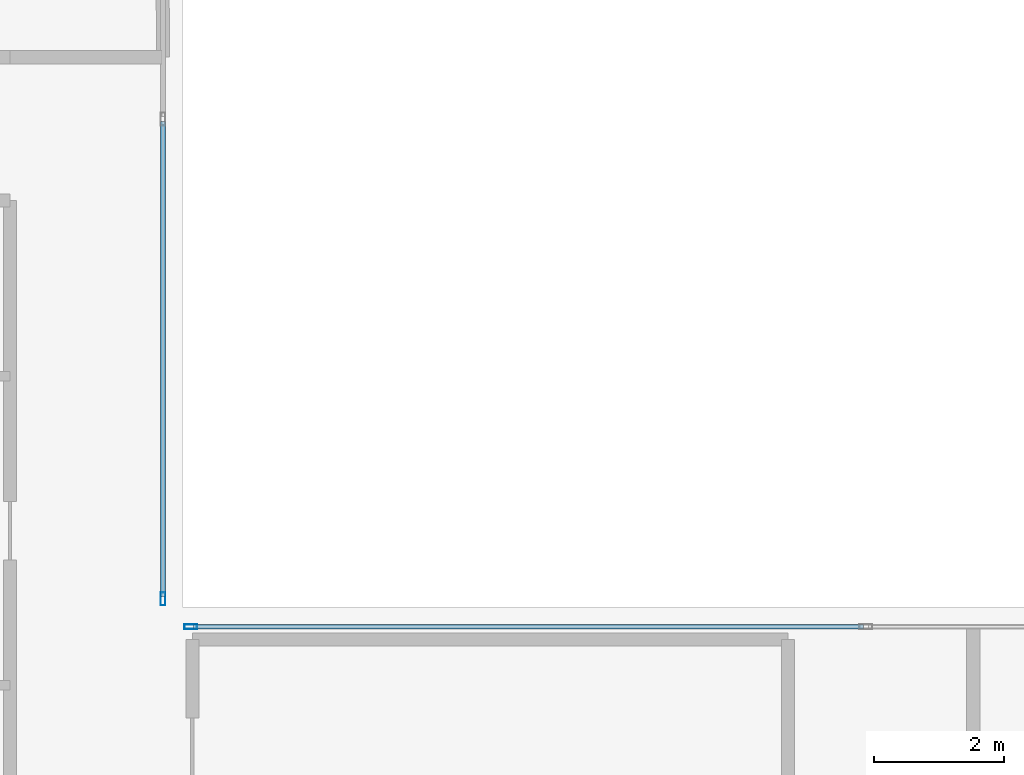
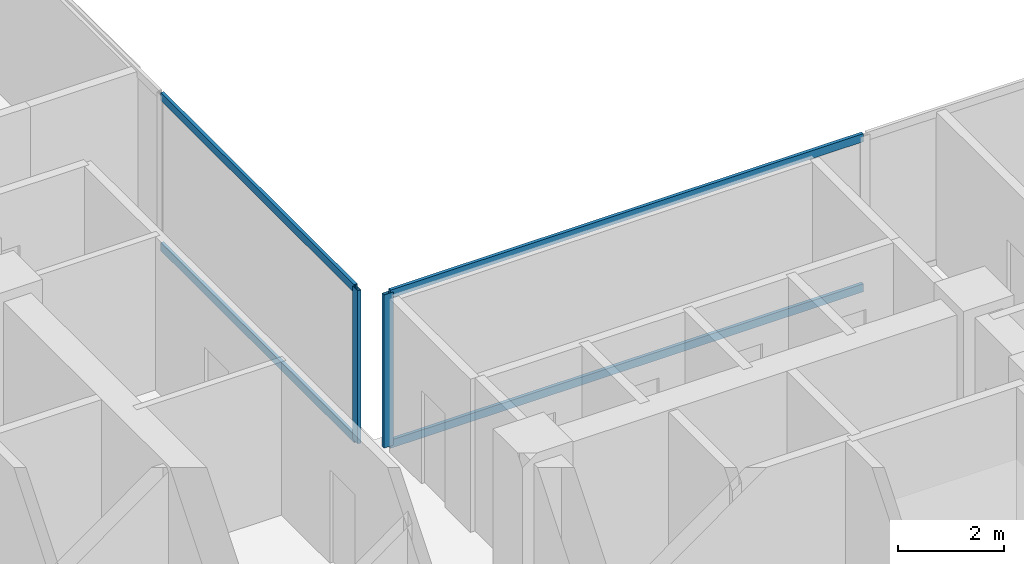
# One storey, part 9 of 28: 6 members, 2 elements without a shape of their own.
"""IFC4 building model written with IfcOpenShell, lengths in metres."""

from ifc_helpers import new_model, si_unit, direction, frame, origin, origin_2d, place, context, subcontext, project, spatial, hollow_rectangle, extrude, material, layer, layer_set, material_profile, profile_set, type_object, element, aggregate, save


model = new_model("IFC4")

# Units and contexts
model_context = context("Model", 3, precision=1e-05, world=origin(), true_north=direction((0.0, 1.0)))
body_context = subcontext(model_context, "Body", "Model", "MODEL_VIEW")
ifc_project = project(units=[si_unit("LENGTHUNIT", "METRE"), si_unit("AREAUNIT", "SQUARE_METRE"), si_unit("VOLUMEUNIT", "CUBIC_METRE"), si_unit("PLANEANGLEUNIT", "RADIAN"), si_unit("MASSUNIT", "GRAM", prefix="KILO"), si_unit("THERMODYNAMICTEMPERATUREUNIT", "KELVIN"), si_unit("POWERUNIT", "WATT")], contexts=[model_context])

# Site, building, storey
site_placement = place(None, origin())
site = spatial("IfcSite", under=ifc_project, at=site_placement, CompositionType="ELEMENT")
building_placement = place(site_placement, origin())
building = spatial("IfcBuilding", under=site, at=building_placement, Name="Svarakhadi Broadcast Tower", CompositionType="ELEMENT")
storey_placement = place(building_placement, frame((0.0, 0.0, 119.39990234375)))
storey = spatial("IfcBuildingStorey", under=building, at=storey_placement, Name="L28", CompositionType="ELEMENT", Elevation=119.39990234375)

# Curtain wall, member
ifc_material = material(Name="Anodised Bronze Aluminium AA 6063-T6", Category="aluminium")
ifc_layer = layer(ifc_material, 0.199951171875)
ifc_layer_set = layer_set([ifc_layer], Name="Anodised Bronze Aluminium AA 6063-T6")
curtain_wall_type = type_object("IfcCurtainWallType", Name="CW_Sys_03", PredefinedType="NOTDEFINED", material=ifc_layer_set)
curtain_wall_1_placement = place(storey_placement, origin())
curtain_wall_1 = element("IfcCurtainWall", 1, at=curtain_wall_1_placement, inside=storey, type_object=curtain_wall_type, Name="L28 Unitised Facade Curtain Wall 09", PredefinedType="NOTDEFINED")
ifc_material_profile_1 = material_profile(ifc_material, hollow_rectangle(XDim=0.074951171875, YDim=0.199951171875, WallThickness=0.005615234375, at=origin_2d()), Name="ALU MULLION 200x75x6")
ifc_profile_set_1 = profile_set([ifc_material_profile_1], Name="Anodised Bronze Aluminium AA 6063-T6")
member_type_1 = type_object("IfcMemberType", Name="CW_Sys_03_Mul", PredefinedType="MULLION", material=ifc_profile_set_1)
member_1_placement = place(storey_placement, frame((23.699951171875, 24.12744140625, 0.0), z_axis=(0.0, 0.0, 1.0), x_axis=(1.0, 0.0, 0.0)))
member_1 = element("IfcMember", 2, at=member_1_placement, type_object=member_type_1, Name="CW-03 mullion 3", PredefinedType="MULLION", context=body_context, shape_type="SweptSolid", body=[
    extrude(hollow_rectangle(XDim=0.074951171875, YDim=0.199951171875, WallThickness=0.005615234375, at=origin_2d()), origin(), (0.0, 0.0, 1.0), 3.525146484375),
])

curtain_wall_2_placement = place(storey_placement, origin())
curtain_wall_2 = element("IfcCurtainWall", 3, at=curtain_wall_2_placement, inside=storey, type_object=curtain_wall_type, Name="L28 Unitised Facade Curtain Wall 10", PredefinedType="NOTDEFINED")
member_2_placement = place(storey_placement, frame((24.12744140625, 23.699951171875, 0.0), z_axis=(0.0, 0.0, 1.0), x_axis=(0.0, 1.0, 0.0)))
member_2 = element("IfcMember", 4, at=member_2_placement, type_object=member_type_1, Name="CW-03 mullion 1", PredefinedType="MULLION", context=body_context, shape_type="SweptSolid", body=[
    extrude(hollow_rectangle(XDim=0.074951171875, YDim=0.199951171875, WallThickness=0.005615234375, at=origin_2d()), origin(), (0.0, 0.0, 1.0), 3.525146484375),
])

# Member
ifc_material_profile_2 = material_profile(ifc_material, hollow_rectangle(XDim=0.070068359375, YDim=0.18505859375, WallThickness=0.0048828125, at=origin_2d()), Name="ALU TRANSOM 185x70x5")
ifc_profile_set_2 = profile_set([ifc_material_profile_2], Name="Anodised Bronze Aluminium AA 6063-T6")
member_type_2 = type_object("IfcMemberType", Name="CW_Sys_03_Trn", PredefinedType="USERDEFINED", material=ifc_profile_set_2)
member_3_placement = place(storey_placement, frame((23.699951171875, 31.46240234375, 0.03515625), z_axis=(0.0, -1.0, 0.0), x_axis=(1.0, 0.0, 0.0)))
member_3 = element("IfcMember", 5, at=member_3_placement, type_object=member_type_2, Name="CW-03 transom 2.1", ObjectType="TRANSOM", PredefinedType="USERDEFINED", context=body_context, shape_type="SweptSolid", body=[
    extrude(hollow_rectangle(XDim=0.070068359375, YDim=0.18505859375, WallThickness=0.0048828125, at=origin_2d()), origin(), (0.0, 0.0, 1.0), 7.29736328125),
])

member_4_placement = place(storey_placement, frame((23.699951171875, 31.46240234375, 3.489990234375), z_axis=(0.0, -1.0, 0.0), x_axis=(1.0, 0.0, 0.0)))
member_4 = element("IfcMember", 6, at=member_4_placement, type_object=member_type_2, Name="CW-03 transom 2.2", ObjectType="TRANSOM", PredefinedType="USERDEFINED", context=body_context, shape_type="SweptSolid", body=[
    extrude(hollow_rectangle(XDim=0.070068359375, YDim=0.18505859375, WallThickness=0.0048828125, at=origin_2d()), origin(), (0.0, 0.0, 1.0), 7.29736328125),
])

aggregate(curtain_wall_1, [member_1, member_3, member_4])

member_5_placement = place(storey_placement, frame((24.1650390625, 23.699951171875, 0.03515625), z_axis=(1.0, 0.0, 0.0), x_axis=(0.0, 1.0, 0.0)))
member_5 = element("IfcMember", 7, at=member_5_placement, type_object=member_type_2, Name="CW-03 transom 1.1", ObjectType="TRANSOM", PredefinedType="USERDEFINED", context=body_context, shape_type="SweptSolid", body=[
    extrude(hollow_rectangle(XDim=0.070068359375, YDim=0.18505859375, WallThickness=0.0048828125, at=origin_2d()), origin(), (0.0, 0.0, 1.0), 10.29736328125),
])

member_6_placement = place(storey_placement, frame((24.1650390625, 23.699951171875, 3.489990234375), z_axis=(1.0, 0.0, 0.0), x_axis=(0.0, 1.0, 0.0)))
member_6 = element("IfcMember", 8, at=member_6_placement, type_object=member_type_2, Name="CW-03 transom 1.2", ObjectType="TRANSOM", PredefinedType="USERDEFINED", context=body_context, shape_type="SweptSolid", body=[
    extrude(hollow_rectangle(XDim=0.070068359375, YDim=0.18505859375, WallThickness=0.0048828125, at=origin_2d()), origin(), (0.0, 0.0, 1.0), 10.29736328125),
])

aggregate(curtain_wall_2, [member_2, member_5, member_6])

save(model, "model.ifc")
